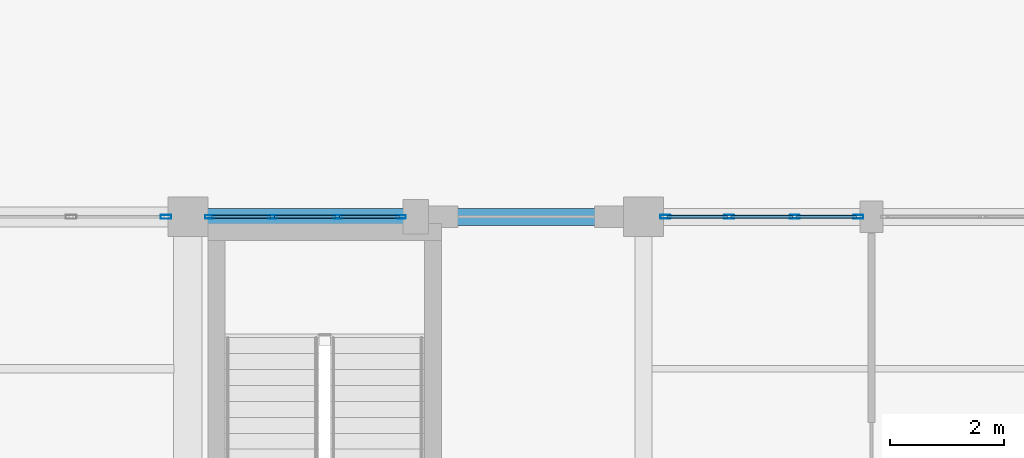
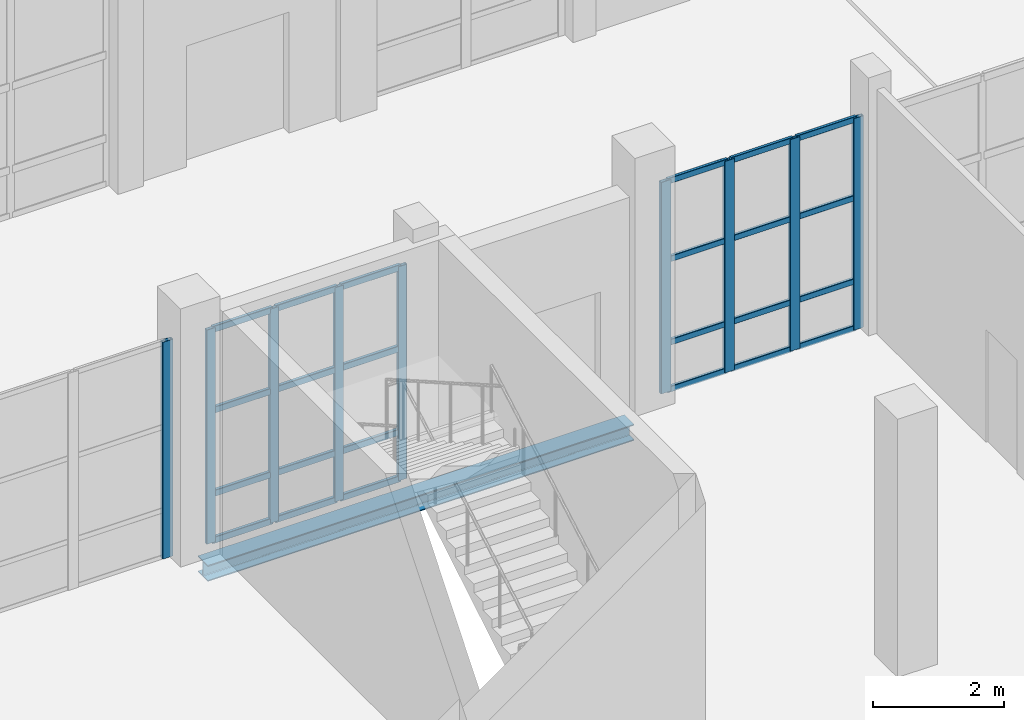
# One storey, part 23 of 156: 33 members, 1 beam, 3 elements without a shape of their own.
"""IFC4 building model written with IfcOpenShell, lengths in metres."""

from ifc_helpers import new_model, si_unit, direction, frame, origin, origin_2d, place, context, subcontext, project, spatial, hollow_rectangle, i_section, extrude, material, material_profile, profile_set, type_object, element, aggregate, save


model = new_model("IFC4")

# Units and contexts
model_context = context("Model", 3, precision=1e-05, world=origin(), true_north=direction((0.0, 1.0)))
body_context = subcontext(model_context, "Body", "Model", "MODEL_VIEW")
ifc_project = project(units=[si_unit("LENGTHUNIT", "METRE"), si_unit("AREAUNIT", "SQUARE_METRE"), si_unit("VOLUMEUNIT", "CUBIC_METRE"), si_unit("PLANEANGLEUNIT", "RADIAN"), si_unit("MASSUNIT", "GRAM", prefix="KILO")], contexts=[model_context])

# Site, building, storey
site_placement = place(None, origin())
site = spatial("IfcSite", under=ifc_project, at=site_placement, CompositionType="ELEMENT")
building_placement = place(site_placement, origin())
building = spatial("IfcBuilding", under=site, at=building_placement, Name="Luwemba Playhouse", CompositionType="ELEMENT")
storey_placement = place(building_placement, origin())
storey = spatial("IfcBuildingStorey", under=building, at=storey_placement, Name="L00", CompositionType="ELEMENT", Elevation=0.0)

# Beam
ifc_material_1 = material(Name="Steel S355", Category="steel")
ifc_material_profile_1 = material_profile(ifc_material_1, i_section(OverallWidth=0.300048828125, OverallDepth=0.300048828125, WebThickness=0.010986328125, FlangeThickness=0.01904296875, FilletRadius=0.027099609375, at=origin_2d()))
ifc_profile_set_1 = profile_set([ifc_material_profile_1], Name="Steel S355")
beam_type = type_object("IfcBeamType", Name="BM-SSP1", PredefinedType="SPANDREL", material=ifc_profile_set_1)
beam_placement = place(storey_placement, frame((36.25, 27.0, -0.449951171875), z_axis=(1.0, 0.0, 0.0), x_axis=(0.0, 1.0, 0.0)))
element("IfcBeam", 1, at=beam_placement, inside=storey, type_object=beam_type, Name="L00 grid girder 0175", PredefinedType="SPANDREL", context=body_context, shape_type="SweptSolid", body=[
    extrude(i_section(OverallWidth=0.300048828125, OverallDepth=0.300048828125, WebThickness=0.010986328125, FlangeThickness=0.01904296875, FilletRadius=0.027099609375, at=origin_2d()), origin(), (0.0, 0.0, 1.0), 7.5),
])

# Curtain wall, members
ifc_material_2 = material(Name="Solar-control double glazing", Category="glass")
curtain_wall_type_1 = type_object("IfcCurtainWallType", Name="CW-CW32", PredefinedType="USERDEFINED", material=ifc_material_2)
curtain_wall_1_placement = place(storey_placement, origin())
curtain_wall_1 = element("IfcCurtainWall", 2, at=curtain_wall_1_placement, inside=storey, type_object=curtain_wall_type_1, Name="L00 V5W unitised curtain wall 035", ObjectType="UNITISED GLAZING", PredefinedType="USERDEFINED")
ifc_material_3 = material(Name="Aluminium 6063-T6", Category="aluminium")
ifc_material_profile_2 = material_profile(ifc_material_3, hollow_rectangle(XDim=0.06005859375, YDim=0.159912109375, WallThickness=0.00390625, InnerFilletRadius=0.006103515625, OuterFilletRadius=0.010009765625, at=origin_2d()))
ifc_profile_set_2 = profile_set([ifc_material_profile_2], Name="Aluminium 6063-T6")
member_type_1 = type_object("IfcMemberType", Name="CWM-M1", PredefinedType="MULLION", material=ifc_profile_set_2)
member_1_placement = place(storey_placement, frame((36.3798828125, 27.0, 0.0), z_axis=(0.0, 0.0, 1.0), x_axis=(0.0, 1.0, 0.0)))
member_1 = element("IfcMember", 3, at=member_1_placement, type_object=member_type_1, Name="CW32 mullion 1", PredefinedType="MULLION", context=body_context, shape_type="SweptSolid", body=[
    extrude(hollow_rectangle(XDim=0.06005859375, YDim=0.159912109375, WallThickness=0.00390625, InnerFilletRadius=0.006103515625, OuterFilletRadius=0.010009765625, at=origin_2d()), origin(), (0.0, 0.0, 1.0), 3.985107421875),
])
member_2_placement = place(storey_placement, frame((37.49169921875, 27.0, 0.0), z_axis=(0.0, 0.0, 1.0), x_axis=(0.0, 1.0, 0.0)))
member_2 = element("IfcMember", 4, at=member_2_placement, type_object=member_type_1, Name="CW32 mullion 2", PredefinedType="MULLION", context=body_context, shape_type="SweptSolid", body=[
    extrude(hollow_rectangle(XDim=0.06005859375, YDim=0.159912109375, WallThickness=0.00390625, InnerFilletRadius=0.006103515625, OuterFilletRadius=0.010009765625, at=origin_2d()), origin(), (0.0, 0.0, 1.0), 3.985107421875),
])
member_3_placement = place(storey_placement, frame((38.63330078125, 27.0, 0.0), z_axis=(0.0, 0.0, 1.0), x_axis=(0.0, 1.0, 0.0)))
member_3 = element("IfcMember", 5, at=member_3_placement, type_object=member_type_1, Name="CW32 mullion 3", PredefinedType="MULLION", context=body_context, shape_type="SweptSolid", body=[
    extrude(hollow_rectangle(XDim=0.06005859375, YDim=0.159912109375, WallThickness=0.00390625, InnerFilletRadius=0.006103515625, OuterFilletRadius=0.010009765625, at=origin_2d()), origin(), (0.0, 0.0, 1.0), 3.985107421875),
])
member_4_placement = place(storey_placement, frame((39.7451171875, 27.0, 0.0), z_axis=(0.0, 0.0, 1.0), x_axis=(0.0, 1.0, 0.0)))
member_4 = element("IfcMember", 6, at=member_4_placement, type_object=member_type_1, Name="CW32 mullion 4", PredefinedType="MULLION", context=body_context, shape_type="SweptSolid", body=[
    extrude(hollow_rectangle(XDim=0.06005859375, YDim=0.159912109375, WallThickness=0.00390625, InnerFilletRadius=0.006103515625, OuterFilletRadius=0.010009765625, at=origin_2d()), origin(), (0.0, 0.0, 1.0), 3.985107421875),
])

curtain_wall_type_2 = type_object("IfcCurtainWallType", Name="CW-CW33", PredefinedType="USERDEFINED", material=ifc_material_2)
curtain_wall_2_placement = place(storey_placement, origin())
curtain_wall_2 = element("IfcCurtainWall", 7, at=curtain_wall_2_placement, inside=storey, type_object=curtain_wall_type_2, Name="L00 V5W unitised curtain wall 036", ObjectType="UNITISED GLAZING", PredefinedType="USERDEFINED")
ifc_material_profile_3 = material_profile(ifc_material_3, hollow_rectangle(XDim=0.06494140625, YDim=0.179931640625, WallThickness=0.00439453125, InnerFilletRadius=0.0068359375, OuterFilletRadius=0.01123046875, at=origin_2d()))
ifc_profile_set_3 = profile_set([ifc_material_profile_3], Name="Aluminium 6063-T6")
member_type_2 = type_object("IfcMemberType", Name="CWM-M2", PredefinedType="MULLION", material=ifc_profile_set_3)
member_5_placement = place(storey_placement, frame((44.382568359375, 27.0, 0.0), z_axis=(0.0, 0.0, 1.0), x_axis=(0.0, 1.0, 0.0)))
member_5 = element("IfcMember", 8, at=member_5_placement, type_object=member_type_2, Name="CW33 mullion 1", PredefinedType="MULLION", context=body_context, shape_type="SweptSolid", body=[
    extrude(hollow_rectangle(XDim=0.06494140625, YDim=0.179931640625, WallThickness=0.00439453125, InnerFilletRadius=0.0068359375, OuterFilletRadius=0.01123046875, at=origin_2d()), origin(), (0.0, 0.0, 1.0), 3.93505859375),
])
member_6_placement = place(storey_placement, frame((45.5, 27.0, 0.0), z_axis=(0.0, 0.0, 1.0), x_axis=(0.0, 1.0, 0.0)))
member_6 = element("IfcMember", 9, at=member_6_placement, type_object=member_type_2, Name="CW33 mullion 2", PredefinedType="MULLION", context=body_context, shape_type="SweptSolid", body=[
    extrude(hollow_rectangle(XDim=0.06494140625, YDim=0.179931640625, WallThickness=0.00439453125, InnerFilletRadius=0.0068359375, OuterFilletRadius=0.01123046875, at=origin_2d()), origin(), (0.0, 0.0, 1.0), 3.93505859375),
])
member_7_placement = place(storey_placement, frame((46.64990234375, 27.0, 0.0), z_axis=(0.0, 0.0, 1.0), x_axis=(0.0, 1.0, 0.0)))
member_7 = element("IfcMember", 10, at=member_7_placement, type_object=member_type_2, Name="CW33 mullion 3", PredefinedType="MULLION", context=body_context, shape_type="SweptSolid", body=[
    extrude(hollow_rectangle(XDim=0.06494140625, YDim=0.179931640625, WallThickness=0.00439453125, InnerFilletRadius=0.0068359375, OuterFilletRadius=0.01123046875, at=origin_2d()), origin(), (0.0, 0.0, 1.0), 3.93505859375),
])
member_8_placement = place(storey_placement, frame((47.767578125, 27.0, 0.0), z_axis=(0.0, 0.0, 1.0), x_axis=(0.0, 1.0, 0.0)))
member_8 = element("IfcMember", 11, at=member_8_placement, type_object=member_type_2, Name="CW33 mullion 4", PredefinedType="MULLION", context=body_context, shape_type="SweptSolid", body=[
    extrude(hollow_rectangle(XDim=0.06494140625, YDim=0.179931640625, WallThickness=0.00439453125, InnerFilletRadius=0.0068359375, OuterFilletRadius=0.01123046875, at=origin_2d()), origin(), (0.0, 0.0, 1.0), 3.93505859375),
])

# Curtain wall, member
curtain_wall_type_3 = type_object("IfcCurtainWallType", Name="CW-CW31", PredefinedType="USERDEFINED", material=ifc_material_2)
curtain_wall_3_placement = place(storey_placement, origin())
curtain_wall_3 = element("IfcCurtainWall", 12, at=curtain_wall_3_placement, inside=storey, type_object=curtain_wall_type_3, Name="L00 V5W unitised curtain wall 034", ObjectType="UNITISED GLAZING", PredefinedType="USERDEFINED")
ifc_material_profile_4 = material_profile(ifc_material_3, hollow_rectangle(XDim=0.070068359375, YDim=0.18994140625, WallThickness=0.0048828125, InnerFilletRadius=0.007568359375, OuterFilletRadius=0.012451171875, at=origin_2d()))
ifc_profile_set_4 = profile_set([ifc_material_profile_4], Name="Aluminium 6063-T6")
member_type_3 = type_object("IfcMemberType", Name="CWM-M4", PredefinedType="MULLION", material=ifc_profile_set_4)
member_9_placement = place(storey_placement, frame((35.614990234375, 27.0, 0.0), z_axis=(0.0, 0.0, 1.0), x_axis=(0.0, 1.0, 0.0)))
member_9 = element("IfcMember", 13, at=member_9_placement, type_object=member_type_3, Name="CW31 mullion 3", PredefinedType="MULLION", context=body_context, shape_type="SweptSolid", body=[
    extrude(hollow_rectangle(XDim=0.070068359375, YDim=0.18994140625, WallThickness=0.0048828125, InnerFilletRadius=0.007568359375, OuterFilletRadius=0.012451171875, at=origin_2d()), origin(), (0.0, 0.0, 1.0), 4.034912109375),
])
aggregate(curtain_wall_3, [member_9])

# Member
ifc_material_profile_5 = material_profile(ifc_material_3, hollow_rectangle(XDim=0.06005859375, YDim=0.1201171875, WallThickness=0.00390625, InnerFilletRadius=0.006103515625, OuterFilletRadius=0.010009765625, at=origin_2d()))
ifc_profile_set_5 = profile_set([ifc_material_profile_5], Name="Aluminium 6063-T6")
member_type_4 = type_object("IfcMemberType", Name="CWT-T1", PredefinedType="USERDEFINED", material=ifc_profile_set_5)
member_10_placement = place(storey_placement, frame((36.409912109375, 27.0, 0.030029296875), z_axis=(1.0, 0.0, 0.0), x_axis=(0.0, 1.0, 0.0)))
member_10 = element("IfcMember", 14, at=member_10_placement, type_object=member_type_4, Name="CW32 transom 1.1", ObjectType="TRANSOM", PredefinedType="USERDEFINED", context=body_context, shape_type="SweptSolid", body=[
    extrude(hollow_rectangle(XDim=0.06005859375, YDim=0.1201171875, WallThickness=0.00390625, InnerFilletRadius=0.006103515625, OuterFilletRadius=0.010009765625, at=origin_2d()), origin(), (0.0, 0.0, 1.0), 1.0517578125),
])

member_11_placement = place(storey_placement, frame((36.409912109375, 27.0, 0.89990234375), z_axis=(1.0, 0.0, 0.0), x_axis=(0.0, 1.0, 0.0)))
member_11 = element("IfcMember", 15, at=member_11_placement, type_object=member_type_4, Name="CW32 transom 1.2", ObjectType="TRANSOM", PredefinedType="USERDEFINED", context=body_context, shape_type="SweptSolid", body=[
    extrude(hollow_rectangle(XDim=0.06005859375, YDim=0.1201171875, WallThickness=0.00390625, InnerFilletRadius=0.006103515625, OuterFilletRadius=0.010009765625, at=origin_2d()), origin(), (0.0, 0.0, 1.0), 1.0517578125),
])

member_12_placement = place(storey_placement, frame((36.409912109375, 27.0, 2.449951171875), z_axis=(1.0, 0.0, 0.0), x_axis=(0.0, 1.0, 0.0)))
member_12 = element("IfcMember", 16, at=member_12_placement, type_object=member_type_4, Name="CW32 transom 1.3", ObjectType="TRANSOM", PredefinedType="USERDEFINED", context=body_context, shape_type="SweptSolid", body=[
    extrude(hollow_rectangle(XDim=0.06005859375, YDim=0.1201171875, WallThickness=0.00390625, InnerFilletRadius=0.006103515625, OuterFilletRadius=0.010009765625, at=origin_2d()), origin(), (0.0, 0.0, 1.0), 1.0517578125),
])

member_13_placement = place(storey_placement, frame((36.409912109375, 27.0, 3.955078125), z_axis=(1.0, 0.0, 0.0), x_axis=(0.0, 1.0, 0.0)))
member_13 = element("IfcMember", 17, at=member_13_placement, type_object=member_type_4, Name="CW32 transom 1.4", ObjectType="TRANSOM", PredefinedType="USERDEFINED", context=body_context, shape_type="SweptSolid", body=[
    extrude(hollow_rectangle(XDim=0.06005859375, YDim=0.1201171875, WallThickness=0.00390625, InnerFilletRadius=0.006103515625, OuterFilletRadius=0.010009765625, at=origin_2d()), origin(), (0.0, 0.0, 1.0), 1.0517578125),
])

member_14_placement = place(storey_placement, frame((37.521728515625, 27.0, 0.030029296875), z_axis=(1.0, 0.0, 0.0), x_axis=(0.0, 1.0, 0.0)))
member_14 = element("IfcMember", 18, at=member_14_placement, type_object=member_type_4, Name="CW32 transom 2.1", ObjectType="TRANSOM", PredefinedType="USERDEFINED", context=body_context, shape_type="SweptSolid", body=[
    extrude(hollow_rectangle(XDim=0.06005859375, YDim=0.1201171875, WallThickness=0.00390625, InnerFilletRadius=0.006103515625, OuterFilletRadius=0.010009765625, at=origin_2d()), origin(), (0.0, 0.0, 1.0), 1.08154296875),
])

member_15_placement = place(storey_placement, frame((37.521728515625, 27.0, 0.89990234375), z_axis=(1.0, 0.0, 0.0), x_axis=(0.0, 1.0, 0.0)))
member_15 = element("IfcMember", 19, at=member_15_placement, type_object=member_type_4, Name="CW32 transom 2.2", ObjectType="TRANSOM", PredefinedType="USERDEFINED", context=body_context, shape_type="SweptSolid", body=[
    extrude(hollow_rectangle(XDim=0.06005859375, YDim=0.1201171875, WallThickness=0.00390625, InnerFilletRadius=0.006103515625, OuterFilletRadius=0.010009765625, at=origin_2d()), origin(), (0.0, 0.0, 1.0), 1.08154296875),
])

member_16_placement = place(storey_placement, frame((37.521728515625, 27.0, 2.449951171875), z_axis=(1.0, 0.0, 0.0), x_axis=(0.0, 1.0, 0.0)))
member_16 = element("IfcMember", 20, at=member_16_placement, type_object=member_type_4, Name="CW32 transom 2.3", ObjectType="TRANSOM", PredefinedType="USERDEFINED", context=body_context, shape_type="SweptSolid", body=[
    extrude(hollow_rectangle(XDim=0.06005859375, YDim=0.1201171875, WallThickness=0.00390625, InnerFilletRadius=0.006103515625, OuterFilletRadius=0.010009765625, at=origin_2d()), origin(), (0.0, 0.0, 1.0), 1.08154296875),
])

member_17_placement = place(storey_placement, frame((37.521728515625, 27.0, 3.955078125), z_axis=(1.0, 0.0, 0.0), x_axis=(0.0, 1.0, 0.0)))
member_17 = element("IfcMember", 21, at=member_17_placement, type_object=member_type_4, Name="CW32 transom 2.4", ObjectType="TRANSOM", PredefinedType="USERDEFINED", context=body_context, shape_type="SweptSolid", body=[
    extrude(hollow_rectangle(XDim=0.06005859375, YDim=0.1201171875, WallThickness=0.00390625, InnerFilletRadius=0.006103515625, OuterFilletRadius=0.010009765625, at=origin_2d()), origin(), (0.0, 0.0, 1.0), 1.08154296875),
])

member_18_placement = place(storey_placement, frame((38.663330078125, 27.0, 0.030029296875), z_axis=(1.0, 0.0, 0.0), x_axis=(0.0, 1.0, 0.0)))
member_18 = element("IfcMember", 22, at=member_18_placement, type_object=member_type_4, Name="CW32 transom 3.1", ObjectType="TRANSOM", PredefinedType="USERDEFINED", context=body_context, shape_type="SweptSolid", body=[
    extrude(hollow_rectangle(XDim=0.06005859375, YDim=0.1201171875, WallThickness=0.00390625, InnerFilletRadius=0.006103515625, OuterFilletRadius=0.010009765625, at=origin_2d()), origin(), (0.0, 0.0, 1.0), 1.0517578125),
])

member_19_placement = place(storey_placement, frame((38.663330078125, 27.0, 0.89990234375), z_axis=(1.0, 0.0, 0.0), x_axis=(0.0, 1.0, 0.0)))
member_19 = element("IfcMember", 23, at=member_19_placement, type_object=member_type_4, Name="CW32 transom 3.2", ObjectType="TRANSOM", PredefinedType="USERDEFINED", context=body_context, shape_type="SweptSolid", body=[
    extrude(hollow_rectangle(XDim=0.06005859375, YDim=0.1201171875, WallThickness=0.00390625, InnerFilletRadius=0.006103515625, OuterFilletRadius=0.010009765625, at=origin_2d()), origin(), (0.0, 0.0, 1.0), 1.0517578125),
])

member_20_placement = place(storey_placement, frame((38.663330078125, 27.0, 2.449951171875), z_axis=(1.0, 0.0, 0.0), x_axis=(0.0, 1.0, 0.0)))
member_20 = element("IfcMember", 24, at=member_20_placement, type_object=member_type_4, Name="CW32 transom 3.3", ObjectType="TRANSOM", PredefinedType="USERDEFINED", context=body_context, shape_type="SweptSolid", body=[
    extrude(hollow_rectangle(XDim=0.06005859375, YDim=0.1201171875, WallThickness=0.00390625, InnerFilletRadius=0.006103515625, OuterFilletRadius=0.010009765625, at=origin_2d()), origin(), (0.0, 0.0, 1.0), 1.0517578125),
])

member_21_placement = place(storey_placement, frame((38.663330078125, 27.0, 3.955078125), z_axis=(1.0, 0.0, 0.0), x_axis=(0.0, 1.0, 0.0)))
member_21 = element("IfcMember", 25, at=member_21_placement, type_object=member_type_4, Name="CW32 transom 3.4", ObjectType="TRANSOM", PredefinedType="USERDEFINED", context=body_context, shape_type="SweptSolid", body=[
    extrude(hollow_rectangle(XDim=0.06005859375, YDim=0.1201171875, WallThickness=0.00390625, InnerFilletRadius=0.006103515625, OuterFilletRadius=0.010009765625, at=origin_2d()), origin(), (0.0, 0.0, 1.0), 1.0517578125),
])

aggregate(curtain_wall_1, [member_1, member_2, member_3, member_4, member_10, member_11, member_12, member_13, member_14, member_15, member_16, member_17, member_18, member_19, member_20, member_21])

ifc_material_profile_6 = material_profile(ifc_material_3, hollow_rectangle(XDim=0.054931640625, YDim=0.110107421875, WallThickness=0.00341796875, InnerFilletRadius=0.00537109375, OuterFilletRadius=0.0087890625, at=origin_2d()))
ifc_profile_set_6 = profile_set([ifc_material_profile_6], Name="Aluminium 6063-T6")
member_type_5 = type_object("IfcMemberType", Name="CWT-T2", PredefinedType="USERDEFINED", material=ifc_profile_set_6)
member_22_placement = place(storey_placement, frame((44.4150390625, 27.0, 0.027587890625), z_axis=(1.0, 0.0, 0.0), x_axis=(0.0, 1.0, 0.0)))
member_22 = element("IfcMember", 26, at=member_22_placement, type_object=member_type_5, Name="CW33 transom 1.1", ObjectType="TRANSOM", PredefinedType="USERDEFINED", context=body_context, shape_type="SweptSolid", body=[
    extrude(hollow_rectangle(XDim=0.054931640625, YDim=0.110107421875, WallThickness=0.00341796875, InnerFilletRadius=0.00537109375, OuterFilletRadius=0.0087890625, at=origin_2d()), origin(), (0.0, 0.0, 1.0), 1.052490234375),
])

member_23_placement = place(storey_placement, frame((44.4150390625, 27.0, 0.89990234375), z_axis=(1.0, 0.0, 0.0), x_axis=(0.0, 1.0, 0.0)))
member_23 = element("IfcMember", 27, at=member_23_placement, type_object=member_type_5, Name="CW33 transom 1.2", ObjectType="TRANSOM", PredefinedType="USERDEFINED", context=body_context, shape_type="SweptSolid", body=[
    extrude(hollow_rectangle(XDim=0.054931640625, YDim=0.110107421875, WallThickness=0.00341796875, InnerFilletRadius=0.00537109375, OuterFilletRadius=0.0087890625, at=origin_2d()), origin(), (0.0, 0.0, 1.0), 1.052490234375),
])

member_24_placement = place(storey_placement, frame((44.4150390625, 27.0, 2.449951171875), z_axis=(1.0, 0.0, 0.0), x_axis=(0.0, 1.0, 0.0)))
member_24 = element("IfcMember", 28, at=member_24_placement, type_object=member_type_5, Name="CW33 transom 1.3", ObjectType="TRANSOM", PredefinedType="USERDEFINED", context=body_context, shape_type="SweptSolid", body=[
    extrude(hollow_rectangle(XDim=0.054931640625, YDim=0.110107421875, WallThickness=0.00341796875, InnerFilletRadius=0.00537109375, OuterFilletRadius=0.0087890625, at=origin_2d()), origin(), (0.0, 0.0, 1.0), 1.052490234375),
])

member_25_placement = place(storey_placement, frame((44.4150390625, 27.0, 3.907470703125), z_axis=(1.0, 0.0, 0.0), x_axis=(0.0, 1.0, 0.0)))
member_25 = element("IfcMember", 29, at=member_25_placement, type_object=member_type_5, Name="CW33 transom 1.4", ObjectType="TRANSOM", PredefinedType="USERDEFINED", context=body_context, shape_type="SweptSolid", body=[
    extrude(hollow_rectangle(XDim=0.054931640625, YDim=0.110107421875, WallThickness=0.00341796875, InnerFilletRadius=0.00537109375, OuterFilletRadius=0.0087890625, at=origin_2d()), origin(), (0.0, 0.0, 1.0), 1.052490234375),
])

member_26_placement = place(storey_placement, frame((45.532470703125, 27.0, 0.027587890625), z_axis=(1.0, 0.0, 0.0), x_axis=(0.0, 1.0, 0.0)))
member_26 = element("IfcMember", 30, at=member_26_placement, type_object=member_type_5, Name="CW33 transom 2.1", ObjectType="TRANSOM", PredefinedType="USERDEFINED", context=body_context, shape_type="SweptSolid", body=[
    extrude(hollow_rectangle(XDim=0.054931640625, YDim=0.110107421875, WallThickness=0.00341796875, InnerFilletRadius=0.00537109375, OuterFilletRadius=0.0087890625, at=origin_2d()), origin(), (0.0, 0.0, 1.0), 1.0849609375),
])

member_27_placement = place(storey_placement, frame((45.532470703125, 27.0, 0.89990234375), z_axis=(1.0, 0.0, 0.0), x_axis=(0.0, 1.0, 0.0)))
member_27 = element("IfcMember", 31, at=member_27_placement, type_object=member_type_5, Name="CW33 transom 2.2", ObjectType="TRANSOM", PredefinedType="USERDEFINED", context=body_context, shape_type="SweptSolid", body=[
    extrude(hollow_rectangle(XDim=0.054931640625, YDim=0.110107421875, WallThickness=0.00341796875, InnerFilletRadius=0.00537109375, OuterFilletRadius=0.0087890625, at=origin_2d()), origin(), (0.0, 0.0, 1.0), 1.0849609375),
])

member_28_placement = place(storey_placement, frame((45.532470703125, 27.0, 2.449951171875), z_axis=(1.0, 0.0, 0.0), x_axis=(0.0, 1.0, 0.0)))
member_28 = element("IfcMember", 32, at=member_28_placement, type_object=member_type_5, Name="CW33 transom 2.3", ObjectType="TRANSOM", PredefinedType="USERDEFINED", context=body_context, shape_type="SweptSolid", body=[
    extrude(hollow_rectangle(XDim=0.054931640625, YDim=0.110107421875, WallThickness=0.00341796875, InnerFilletRadius=0.00537109375, OuterFilletRadius=0.0087890625, at=origin_2d()), origin(), (0.0, 0.0, 1.0), 1.0849609375),
])

member_29_placement = place(storey_placement, frame((45.532470703125, 27.0, 3.907470703125), z_axis=(1.0, 0.0, 0.0), x_axis=(0.0, 1.0, 0.0)))
member_29 = element("IfcMember", 33, at=member_29_placement, type_object=member_type_5, Name="CW33 transom 2.4", ObjectType="TRANSOM", PredefinedType="USERDEFINED", context=body_context, shape_type="SweptSolid", body=[
    extrude(hollow_rectangle(XDim=0.054931640625, YDim=0.110107421875, WallThickness=0.00341796875, InnerFilletRadius=0.00537109375, OuterFilletRadius=0.0087890625, at=origin_2d()), origin(), (0.0, 0.0, 1.0), 1.0849609375),
])

member_30_placement = place(storey_placement, frame((46.6826171875, 27.0, 0.027587890625), z_axis=(1.0, 0.0, 0.0), x_axis=(0.0, 1.0, 0.0)))
member_30 = element("IfcMember", 34, at=member_30_placement, type_object=member_type_5, Name="CW33 transom 3.1", ObjectType="TRANSOM", PredefinedType="USERDEFINED", context=body_context, shape_type="SweptSolid", body=[
    extrude(hollow_rectangle(XDim=0.054931640625, YDim=0.110107421875, WallThickness=0.00341796875, InnerFilletRadius=0.00537109375, OuterFilletRadius=0.0087890625, at=origin_2d()), origin(), (0.0, 0.0, 1.0), 1.052490234375),
])

member_31_placement = place(storey_placement, frame((46.6826171875, 27.0, 0.89990234375), z_axis=(1.0, 0.0, 0.0), x_axis=(0.0, 1.0, 0.0)))
member_31 = element("IfcMember", 35, at=member_31_placement, type_object=member_type_5, Name="CW33 transom 3.2", ObjectType="TRANSOM", PredefinedType="USERDEFINED", context=body_context, shape_type="SweptSolid", body=[
    extrude(hollow_rectangle(XDim=0.054931640625, YDim=0.110107421875, WallThickness=0.00341796875, InnerFilletRadius=0.00537109375, OuterFilletRadius=0.0087890625, at=origin_2d()), origin(), (0.0, 0.0, 1.0), 1.052490234375),
])

member_32_placement = place(storey_placement, frame((46.6826171875, 27.0, 2.449951171875), z_axis=(1.0, 0.0, 0.0), x_axis=(0.0, 1.0, 0.0)))
member_32 = element("IfcMember", 36, at=member_32_placement, type_object=member_type_5, Name="CW33 transom 3.3", ObjectType="TRANSOM", PredefinedType="USERDEFINED", context=body_context, shape_type="SweptSolid", body=[
    extrude(hollow_rectangle(XDim=0.054931640625, YDim=0.110107421875, WallThickness=0.00341796875, InnerFilletRadius=0.00537109375, OuterFilletRadius=0.0087890625, at=origin_2d()), origin(), (0.0, 0.0, 1.0), 1.052490234375),
])

member_33_placement = place(storey_placement, frame((46.6826171875, 27.0, 3.907470703125), z_axis=(1.0, 0.0, 0.0), x_axis=(0.0, 1.0, 0.0)))
member_33 = element("IfcMember", 37, at=member_33_placement, type_object=member_type_5, Name="CW33 transom 3.4", ObjectType="TRANSOM", PredefinedType="USERDEFINED", context=body_context, shape_type="SweptSolid", body=[
    extrude(hollow_rectangle(XDim=0.054931640625, YDim=0.110107421875, WallThickness=0.00341796875, InnerFilletRadius=0.00537109375, OuterFilletRadius=0.0087890625, at=origin_2d()), origin(), (0.0, 0.0, 1.0), 1.052490234375),
])

aggregate(curtain_wall_2, [member_5, member_6, member_7, member_8, member_22, member_23, member_24, member_25, member_26, member_27, member_28, member_29, member_30, member_31, member_32, member_33])

save(model, "model.ifc")
